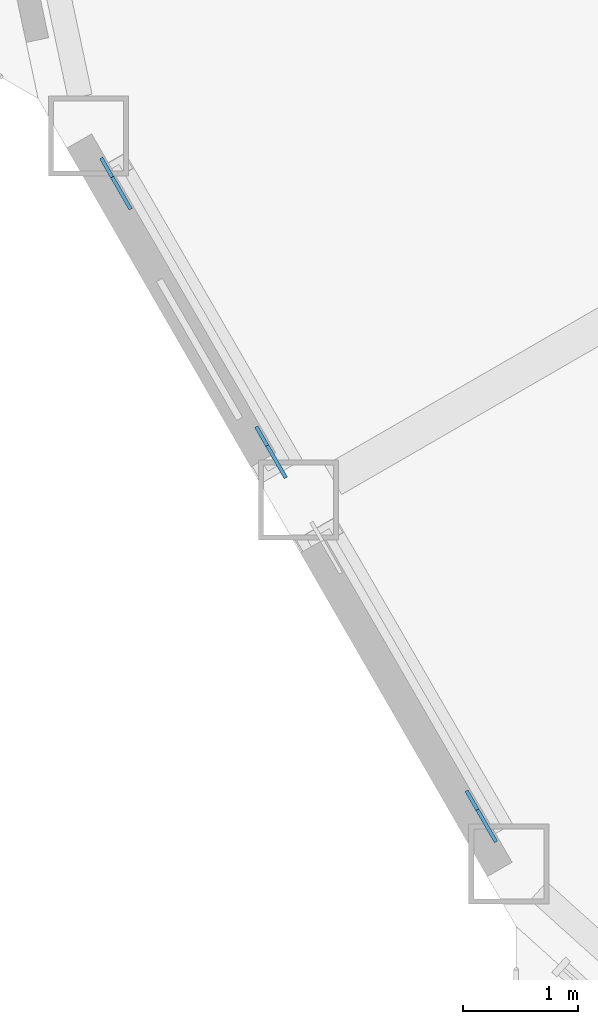
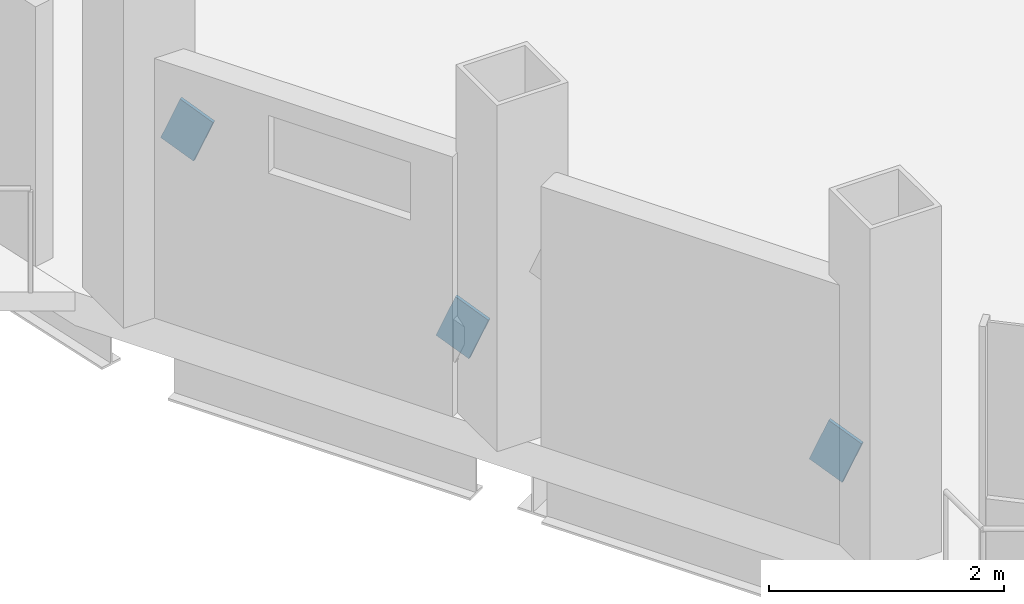
# One storey, part 16 of 23: 3 discrete accessories.
"""IFC4 building model written with IfcOpenShell, lengths in metres."""

import ifcopenshell
import ifcopenshell.guid

model = None  # the IFC model being written
_history = None  # IfcOwnerHistory: only IFC2X3 demands one
_inside = {}  # id of a spatial element -> (the spatial element, [elements in it])
_under = {}  # id of a project, library or spatial element -> (it, [spatial elements below it])
_declared = {}  # id of a project -> (the project, [libraries it declares])
_typed = {}  # id of a type object -> (the type object, [elements of that type])
_made_of = {}  # id of a material, layer set ... -> (it, [elements and type objects made of it])


def new_model(schema):
    """Start an empty IFC model of exactly this schema.

    Asked for "IFC4X3", IfcOpenShell would pick the latest addendum, in which some entities
    have other attributes; the version numbers below select the first issue.
    IFC2X3 requires an IfcOwnerHistory on every rooted entity: one is made here for all.
    """
    global model, _history
    if schema == "IFC4X3":
        model = ifcopenshell.file(schema_version=(4, 3, 0, 0))
    else:
        model = ifcopenshell.file(schema=schema)
    _inside.clear()
    _under.clear()
    _declared.clear()
    _typed.clear()
    _made_of.clear()
    _history = None
    if model.schema == "IFC2X3":
        org = make("IfcOrganization", Name="unknown")
        user = make(
            "IfcPersonAndOrganization",
            ThePerson=make("IfcPerson", FamilyName="unknown"),
            TheOrganization=org,
        )
        app = make(
            "IfcApplication",
            ApplicationDeveloper=org,
            Version="unknown",
            ApplicationFullName="unknown",
            ApplicationIdentifier="unknown",
        )
        _history = make(
            "IfcOwnerHistory",
            OwningUser=user,
            OwningApplication=app,
            ChangeAction="ADDED",
            CreationDate=0,
        )
    return model


def make(cls, **values):
    """One entity of the class cls with the attributes given. An attribute that is None is left unset."""
    return model.create_entity(
        cls, **{name: value for name, value in values.items() if value is not None}
    )


def rooted(cls, **values):
    """An entity with a GlobalId (a new one), such as an element, a storey or a relation."""
    return make(cls, GlobalId=ifcopenshell.guid.new(), OwnerHistory=_history, **values)


def si_unit(unit_type, name, prefix=None):
    """IfcSIUnit, for example si_unit("LENGTHUNIT", "METRE", prefix="MILLI")."""
    return make("IfcSIUnit", UnitType=unit_type, Prefix=prefix, Name=name)


def assignment(units):
    """IfcUnitAssignment: the units of a project."""
    return None if units is None else make("IfcUnitAssignment", Units=units)


def point(xyz):
    """IfcCartesianPoint."""
    return None if xyz is None else make("IfcCartesianPoint", Coordinates=xyz)


def direction(xyz):
    """IfcDirection."""
    return None if xyz is None else make("IfcDirection", DirectionRatios=xyz)


def frame(location, z_axis=None, x_axis=None):
    """IfcAxis2Placement3D, a coordinate frame: its origin and axes. An axis left out is left unset."""
    return make(
        "IfcAxis2Placement3D",
        Location=point(location),
        Axis=direction(z_axis),
        RefDirection=direction(x_axis),
    )


def frame_2d(location, x_axis=None):
    """IfcAxis2Placement2D, a coordinate frame in the plane: its origin and x axis."""
    return make(
        "IfcAxis2Placement2D", Location=point(location), RefDirection=direction(x_axis)
    )


def origin():
    """The frame at (0, 0, 0) with its axes left unset."""
    return frame((0.0, 0.0, 0.0))


def origin_2d():
    """The frame at (0, 0) in the plane with its x axis left unset."""
    return frame_2d((0.0, 0.0))


def place(relative_to, where):
    """IfcLocalPlacement: puts the frame where relative to a parent placement (None: the world)."""
    return make(
        "IfcLocalPlacement", PlacementRelTo=relative_to, RelativePlacement=where
    )


def context(
    kind, dimensions, precision=None, world=None, true_north=None, identifier=None
):
    """IfcGeometricRepresentationContext, for example the 3D "Model" context."""
    return make(
        "IfcGeometricRepresentationContext",
        ContextIdentifier=identifier,
        ContextType=kind,
        CoordinateSpaceDimension=dimensions,
        Precision=precision,
        WorldCoordinateSystem=world,
        TrueNorth=true_north,
    )


def subcontext(parent, identifier, kind, view, scale=None):
    """IfcGeometricRepresentationSubContext, for example "Body" below "Model"."""
    return make(
        "IfcGeometricRepresentationSubContext",
        ContextIdentifier=identifier,
        ContextType=kind,
        ParentContext=parent,
        TargetScale=scale,
        TargetView=view,
    )


def project(units=None, contexts=None):
    """IfcProject with its units and contexts."""
    return rooted(
        "IfcProject",
        Name="project",
        RepresentationContexts=contexts,
        UnitsInContext=assignment(units),
    )


def spatial(cls, under=None, at=None, **own):
    """A site, building, storey or space (cls), placed at a placement, below another one or the project."""
    s = rooted(cls, ObjectPlacement=at, **own)
    if under is not None:
        _under.setdefault(under.id(), (under, []))[1].append(s)
    return s


def profile(cls, at=None, kind="AREA", **sizes):
    """A parametric profile (cls). Its sizes go by their IFC names, for example OverallWidth=200.0."""
    return make(cls, ProfileType=kind, Position=at, **sizes)


def rectangle(**sizes):
    """IfcRectangleProfileDef."""
    return profile("IfcRectangleProfileDef", **sizes)


def extrude(swept, where, along, depth):
    """IfcExtrudedAreaSolid: the profile swept, set in the frame where, extruded along a direction by depth."""
    return make(
        "IfcExtrudedAreaSolid",
        SweptArea=swept,
        Position=where,
        ExtrudedDirection=direction(along),
        Depth=depth,
    )


def shape(context_of_items, identifier, shape_type, items):
    """IfcShapeRepresentation: the items that make up one representation, for example the "Body"."""
    return make(
        "IfcShapeRepresentation",
        ContextOfItems=context_of_items,
        RepresentationIdentifier=identifier,
        RepresentationType=shape_type,
        Items=items,
    )


def material(Name=None, Category=None):
    """IfcMaterial."""
    return make("IfcMaterial", Name=Name, Category=Category)


def material_profile(
    of_material, cross_section, Name=None, Category=None, Priority=None
):
    """IfcMaterialProfile: a cross section and its material."""
    return make(
        "IfcMaterialProfile",
        Name=Name,
        Material=of_material,
        Profile=cross_section,
        Priority=Priority,
        Category=Category,
    )


def profile_set(profiles, Name=None, composite=None):
    """IfcMaterialProfileSet."""
    return make(
        "IfcMaterialProfileSet",
        Name=Name,
        MaterialProfiles=profiles,
        CompositeProfile=composite,
    )


def made_of(thing, what):
    """Note that an element or type object is made of a material, layer set ...; save() writes the relation."""
    if what is not None:
        _made_of.setdefault(what.id(), (what, []))[1].append(thing)
    return thing


def type_object(cls, material=None, **own):
    """A type object (cls), such as IfcWallType, which elements share."""
    return made_of(rooted(cls, **own), material)


def element(
    cls,
    number,
    at=None,
    inside=None,
    cuts=None,
    type_object=None,
    material=None,
    context=None,
    identifier="Body",
    shape_type=None,
    held_by="IfcProductDefinitionShape",
    body=None,
    shapes=None,
    **own,
):
    """One element of the class cls, such as IfcWall. Its Tag is "e" and its number.

    at: its placement. inside: the storey or other place that contains it. cuts: it is an
    opening in that element (IfcRelVoidsElement). A single representation is given by context,
    identifier, shape_type and body (its items); several are given by shapes. held_by: the class
    of the entity that holds the representations. save() writes the other relations.
    """
    e = rooted(cls, Tag="e%d" % number, ObjectPlacement=at, **own)
    if body is not None:
        shapes = [shape(context, identifier, shape_type, body)]
    if shapes is not None:
        e.Representation = make(held_by, Representations=shapes)
    if inside is not None:
        _inside.setdefault(inside.id(), (inside, []))[1].append(e)
    if cuts is not None:
        rooted(
            "IfcRelVoidsElement", RelatingBuildingElement=cuts, RelatedOpeningElement=e
        )
    if type_object is not None:
        _typed.setdefault(type_object.id(), (type_object, []))[1].append(e)
    return made_of(e, material)


def aggregate(whole, parts):
    """IfcRelAggregates: a whole, such as a stair, and the parts it consists of."""
    return rooted("IfcRelAggregates", RelatingObject=whole, RelatedObjects=parts)


def save(model, path):
    """Write the relations noted so far, then the file.

    IfcRelAggregates (storeys below a building ...), IfcRelContainedInSpatialStructure (elements
    in a storey), IfcRelDefinesByType, IfcRelAssociatesMaterial and IfcRelDeclares: one each for
    every whole, place, type object, material and project.
    """
    for whole, parts in _under.values():
        aggregate(whole, parts)
    for where, things in _inside.values():
        rooted(
            "IfcRelContainedInSpatialStructure",
            RelatedElements=things,
            RelatingStructure=where,
        )
    for kind, things in _typed.values():
        rooted("IfcRelDefinesByType", RelatedObjects=things, RelatingType=kind)
    for what, things in _made_of.values():
        rooted("IfcRelAssociatesMaterial", RelatedObjects=things, RelatingMaterial=what)
    for by, libraries in _declared.values():
        rooted("IfcRelDeclares", RelatingContext=by, RelatedDefinitions=libraries)
    model.write(path)


model = new_model("IFC4")

# Units and contexts
model_context = context("Model", 3, precision=1e-05, world=origin(), true_north=direction((0.0, 1.0)))
body_context = subcontext(model_context, "Body", "Model", "MODEL_VIEW")
ifc_project = project(units=[si_unit("LENGTHUNIT", "METRE"), si_unit("AREAUNIT", "SQUARE_METRE"), si_unit("VOLUMEUNIT", "CUBIC_METRE"), si_unit("PLANEANGLEUNIT", "RADIAN"), si_unit("MASSUNIT", "GRAM", prefix="KILO")], contexts=[model_context])

# Site, building, storey
site_placement = place(None, origin())
site = spatial("IfcSite", under=ifc_project, at=site_placement, CompositionType="ELEMENT")
building_placement = place(site_placement, origin())
building = spatial("IfcBuilding", under=site, at=building_placement, Name="Cormorant Prow Tower", CompositionType="ELEMENT")
storey_placement = place(building_placement, frame((0.0, 0.0, 249.0)))
storey = spatial("IfcBuildingStorey", under=building, at=storey_placement, Name="L55", CompositionType="ELEMENT", Elevation=249.0)

# Discrete accessories
ifc_material = material(Name="Structural steel ASTM A500 Gr C", Category="steel")
ifc_material_profile = material_profile(ifc_material, rectangle(XDim=0.031982421875, YDim=0.506103515625, at=origin_2d()), Name="Gusset plate 32x506")
ifc_profile_set = profile_set([ifc_material_profile], Name="Structural steel ASTM A500 Gr C")
discrete_accessory_type = type_object("IfcDiscreteAccessoryType", Name="Gusset plate 32x506", PredefinedType="BRACKET", material=ifc_profile_set)
discrete_accessory_1_placement = place(storey_placement, frame((-28.09814453125, -15.4794921875, 0.863037109375), z_axis=(0.462827914709, -0.801584490837, -0.378487285673), x_axis=(0.866010015463, 0.500026652407, 0.0)))
element("IfcDiscreteAccessory", 1, at=discrete_accessory_1_placement, inside=storey, type_object=discrete_accessory_type, Name="Gusset plate GP2 L55.WSW00.g0", PredefinedType="BRACKET", context=body_context, shape_type="SweptSolid", body=[
    extrude(rectangle(XDim=0.031982421875, YDim=0.506103515625, at=origin_2d()), origin(), (0.0, 0.0, 1.0), 0.350341796875),
])
discrete_accessory_2_placement = place(storey_placement, frame((-29.2900390625, -13.4150390625, 1.837890625), z_axis=(-0.46266066689, 0.801805590131, 0.37822335061), x_axis=(-0.866147934042, -0.499787711288, 0.0)))
element("IfcDiscreteAccessory", 2, at=discrete_accessory_2_placement, inside=storey, type_object=discrete_accessory_type, Name="Gusset plate GP2 L55.WSW00.g1", PredefinedType="BRACKET", context=body_context, shape_type="SweptSolid", body=[
    extrude(rectangle(XDim=0.031982421875, YDim=0.506103515625, at=origin_2d()), origin(), (0.0, 0.0, 1.0), 0.349853515625),
])
discrete_accessory_3_placement = place(storey_placement, frame((-26.262939453125, -18.658203125, 0.863037109375), z_axis=(0.462827914709, -0.801584490837, -0.378487285673), x_axis=(0.866010015463, 0.500026652407, 0.0)))
element("IfcDiscreteAccessory", 3, at=discrete_accessory_3_placement, inside=storey, type_object=discrete_accessory_type, Name="Gusset plate GP2 L55.WSW01.g0", PredefinedType="BRACKET", context=body_context, shape_type="SweptSolid", body=[
    extrude(rectangle(XDim=0.031982421875, YDim=0.506103515625, at=origin_2d()), origin(), (0.0, 0.0, 1.0), 0.350341796875),
])

save(model, "model.ifc")
